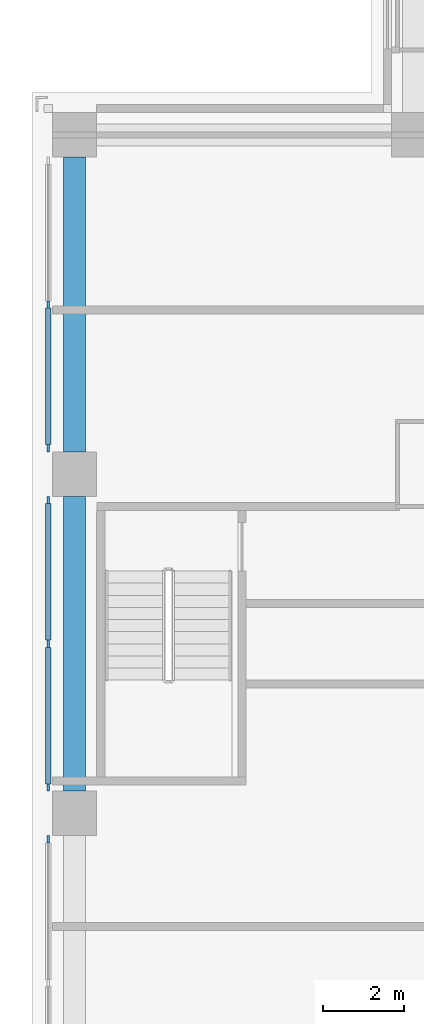
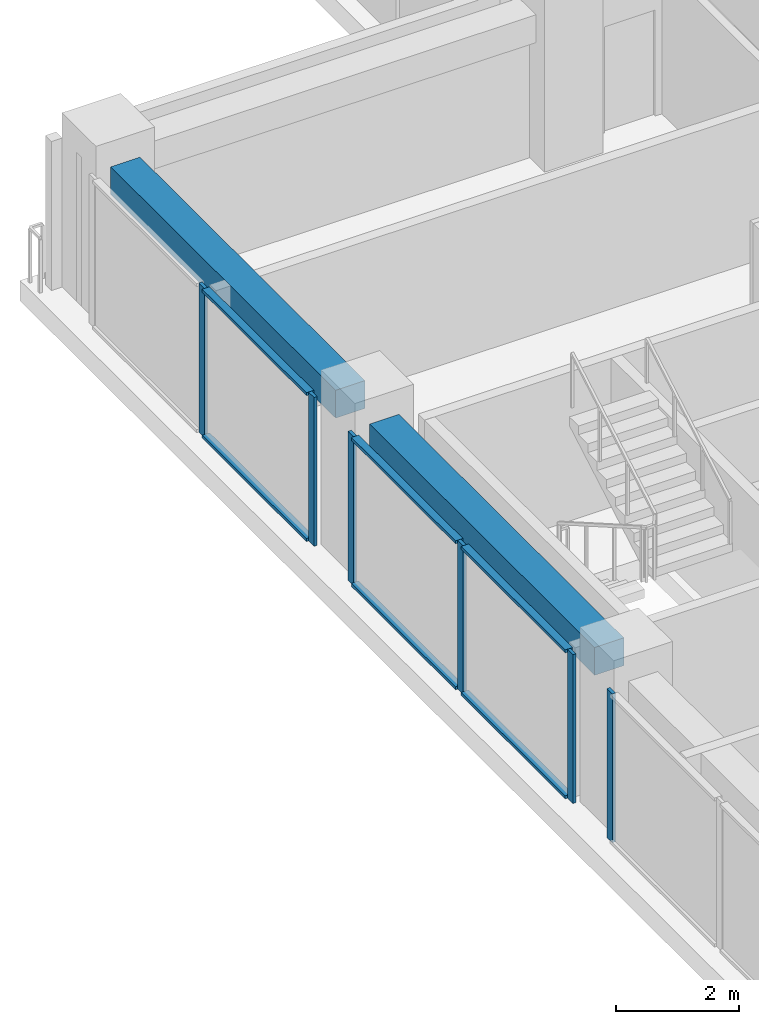
# One storey, part 4 of 16: 12 members, 2 beams, 3 elements without a shape of their own.
"""IFC4 building model written with IfcOpenShell, lengths in metres."""

from ifc_helpers import new_model, si_unit, direction, frame, origin, origin_2d, place, context, subcontext, project, spatial, rectangle, extrude, material, material_profile, profile_set, type_object, element, aggregate, save


model = new_model("IFC4")

# Units and contexts
model_context = context("Model", 3, precision=1e-05, world=origin(), true_north=direction((0.0, 1.0)))
body_context = subcontext(model_context, "Body", "Model", "MODEL_VIEW")
ifc_project = project(units=[si_unit("LENGTHUNIT", "METRE"), si_unit("AREAUNIT", "SQUARE_METRE"), si_unit("VOLUMEUNIT", "CUBIC_METRE"), si_unit("PLANEANGLEUNIT", "RADIAN"), si_unit("MASSUNIT", "GRAM", prefix="KILO")], contexts=[model_context])

# Site, building, storey
site_placement = place(None, origin())
site = spatial("IfcSite", under=ifc_project, at=site_placement, CompositionType="ELEMENT")
building_placement = place(site_placement, origin())
building = spatial("IfcBuilding", under=site, at=building_placement, Name="Vermilion Ogive Tower", CompositionType="ELEMENT")
storey_placement = place(building_placement, frame((0.0, 0.0, 167.60009765625)))
storey = spatial("IfcBuildingStorey", under=building, at=storey_placement, Name="L43", CompositionType="ELEMENT", Elevation=167.60009765625)

# Curtain wall, members
ifc_material_1 = material(Name="Low-iron laminated glazing in aluminium frame", Category="aluminium")
curtain_wall_type = type_object("IfcCurtainWallType", Name="Curtain wall CW7", PredefinedType="NOTDEFINED", material=ifc_material_1)
curtain_wall_1_placement = place(storey_placement, origin())
curtain_wall_1 = element("IfcCurtainWall", 1, at=curtain_wall_1_placement, inside=storey, type_object=curtain_wall_type, Name="Glazed skin W1", PredefinedType="NOTDEFINED")
ifc_material_2 = material(Name="Aluminium mullion", Category="aluminium")
ifc_material_profile_1 = material_profile(ifc_material_2, rectangle(XDim=0.06005859375, YDim=0.179931640625, at=origin_2d()), Name="AL 60x180")
ifc_profile_set_1 = profile_set([ifc_material_profile_1], Name="Aluminium mullion")
member_type_1 = type_object("IfcMemberType", Name="CW7 mullion 60x180", PredefinedType="MULLION", material=ifc_profile_set_1)
member_1_placement = place(storey_placement, frame((-21.64990234375, 8.39990234375, 0.0), z_axis=(0.0, 0.0, 1.0), x_axis=(1.0, 0.0, 0.0)))
member_1 = element("IfcMember", 2, at=member_1_placement, type_object=member_type_1, Name="CW7-W1 mullion 2", PredefinedType="MULLION", context=body_context, shape_type="SweptSolid", body=[
    extrude(rectangle(XDim=0.06005859375, YDim=0.179931640625, at=origin_2d()), origin(), (0.0, 0.0, 1.0), 2.949951171875),
])
member_2_placement = place(storey_placement, frame((-21.64990234375, 4.840087890625, 0.0), z_axis=(0.0, 0.0, 1.0), x_axis=(1.0, 0.0, 0.0)))
member_2 = element("IfcMember", 3, at=member_2_placement, type_object=member_type_1, Name="CW7-W1 mullion 3", PredefinedType="MULLION", context=body_context, shape_type="SweptSolid", body=[
    extrude(rectangle(XDim=0.06005859375, YDim=0.179931640625, at=origin_2d()), origin(), (0.0, 0.0, 1.0), 2.949951171875),
])

curtain_wall_2_placement = place(storey_placement, origin())
curtain_wall_2 = element("IfcCurtainWall", 4, at=curtain_wall_2_placement, inside=storey, type_object=curtain_wall_type, Name="Glazed skin W2", PredefinedType="NOTDEFINED")
member_3_placement = place(storey_placement, frame((-21.64990234375, 3.56005859375, 0.0), z_axis=(0.0, 0.0, 1.0), x_axis=(1.0, 0.0, 0.0)))
member_3 = element("IfcMember", 5, at=member_3_placement, type_object=member_type_1, Name="CW7-W2 mullion 1", PredefinedType="MULLION", context=body_context, shape_type="SweptSolid", body=[
    extrude(rectangle(XDim=0.06005859375, YDim=0.179931640625, at=origin_2d()), origin(), (0.0, 0.0, 1.0), 2.949951171875),
])
member_4_placement = place(storey_placement, frame((-21.64990234375, 0.0, 0.0), z_axis=(0.0, 0.0, 1.0), x_axis=(1.0, 0.0, 0.0)))
member_4 = element("IfcMember", 6, at=member_4_placement, type_object=member_type_1, Name="CW7-W2 mullion 2", PredefinedType="MULLION", context=body_context, shape_type="SweptSolid", body=[
    extrude(rectangle(XDim=0.06005859375, YDim=0.179931640625, at=origin_2d()), origin(), (0.0, 0.0, 1.0), 2.949951171875),
])
member_5_placement = place(storey_placement, frame((-21.64990234375, -3.56005859375, 0.0), z_axis=(0.0, 0.0, 1.0), x_axis=(1.0, 0.0, 0.0)))
member_5 = element("IfcMember", 7, at=member_5_placement, type_object=member_type_1, Name="CW7-W2 mullion 3", PredefinedType="MULLION", context=body_context, shape_type="SweptSolid", body=[
    extrude(rectangle(XDim=0.06005859375, YDim=0.179931640625, at=origin_2d()), origin(), (0.0, 0.0, 1.0), 2.949951171875),
])

# Curtain wall, member
curtain_wall_3_placement = place(storey_placement, origin())
curtain_wall_3 = element("IfcCurtainWall", 8, at=curtain_wall_3_placement, inside=storey, type_object=curtain_wall_type, Name="Glazed skin W3", PredefinedType="NOTDEFINED")
member_6_placement = place(storey_placement, frame((-21.64990234375, -4.840087890625, 0.0), z_axis=(0.0, 0.0, 1.0), x_axis=(1.0, 0.0, 0.0)))
member_6 = element("IfcMember", 9, at=member_6_placement, type_object=member_type_1, Name="CW7-W3 mullion 1", PredefinedType="MULLION", context=body_context, shape_type="SweptSolid", body=[
    extrude(rectangle(XDim=0.06005859375, YDim=0.179931640625, at=origin_2d()), origin(), (0.0, 0.0, 1.0), 2.949951171875),
])
aggregate(curtain_wall_3, [member_6])

# Member
ifc_material_3 = material(Name="Aluminium transom", Category="aluminium")
ifc_material_profile_2 = material_profile(ifc_material_3, rectangle(XDim=0.139892578125, YDim=0.06005859375, at=origin_2d()), Name="AL 60x140")
ifc_profile_set_2 = profile_set([ifc_material_profile_2], Name="Aluminium transom")
member_type_2 = type_object("IfcMemberType", Name="CW7 transom 60x140", PredefinedType="USERDEFINED", material=ifc_profile_set_2)
member_7_placement = place(storey_placement, frame((-21.64990234375, 8.31005859375, 0.02978515625), z_axis=(0.0, -1.0, 0.0), x_axis=(1.0, 0.0, 0.0)))
member_7 = element("IfcMember", 10, at=member_7_placement, type_object=member_type_2, Name="CW7-W1 transom 2.1", ObjectType="TRANSOM", PredefinedType="USERDEFINED", context=body_context, shape_type="SweptSolid", body=[
    extrude(rectangle(XDim=0.139892578125, YDim=0.06005859375, at=origin_2d()), origin(), (0.0, 0.0, 1.0), 3.380126953125),
])

member_8_placement = place(storey_placement, frame((-21.64990234375, 8.31005859375, 2.919921875), z_axis=(0.0, -1.0, 0.0), x_axis=(1.0, 0.0, 0.0)))
member_8 = element("IfcMember", 11, at=member_8_placement, type_object=member_type_2, Name="CW7-W1 transom 2.2", ObjectType="TRANSOM", PredefinedType="USERDEFINED", context=body_context, shape_type="SweptSolid", body=[
    extrude(rectangle(XDim=0.139892578125, YDim=0.06005859375, at=origin_2d()), origin(), (0.0, 0.0, 1.0), 3.380126953125),
])

aggregate(curtain_wall_1, [member_1, member_2, member_7, member_8])

member_9_placement = place(storey_placement, frame((-21.64990234375, 3.469970703125, 0.02978515625), z_axis=(0.0, -1.0, 0.0), x_axis=(1.0, 0.0, 0.0)))
member_9 = element("IfcMember", 12, at=member_9_placement, type_object=member_type_2, Name="CW7-W2 transom 1.1", ObjectType="TRANSOM", PredefinedType="USERDEFINED", context=body_context, shape_type="SweptSolid", body=[
    extrude(rectangle(XDim=0.139892578125, YDim=0.06005859375, at=origin_2d()), origin(), (0.0, 0.0, 1.0), 3.3798828125),
])

member_10_placement = place(storey_placement, frame((-21.64990234375, 3.469970703125, 2.919921875), z_axis=(0.0, -1.0, 0.0), x_axis=(1.0, 0.0, 0.0)))
member_10 = element("IfcMember", 13, at=member_10_placement, type_object=member_type_2, Name="CW7-W2 transom 1.2", ObjectType="TRANSOM", PredefinedType="USERDEFINED", context=body_context, shape_type="SweptSolid", body=[
    extrude(rectangle(XDim=0.139892578125, YDim=0.06005859375, at=origin_2d()), origin(), (0.0, 0.0, 1.0), 3.3798828125),
])

member_11_placement = place(storey_placement, frame((-21.64990234375, -0.090087890625, 0.02978515625), z_axis=(0.0, -1.0, 0.0), x_axis=(1.0, 0.0, 0.0)))
member_11 = element("IfcMember", 14, at=member_11_placement, type_object=member_type_2, Name="CW7-W2 transom 2.1", ObjectType="TRANSOM", PredefinedType="USERDEFINED", context=body_context, shape_type="SweptSolid", body=[
    extrude(rectangle(XDim=0.139892578125, YDim=0.06005859375, at=origin_2d()), origin(), (0.0, 0.0, 1.0), 3.3798828125),
])

member_12_placement = place(storey_placement, frame((-21.64990234375, -0.090087890625, 2.919921875), z_axis=(0.0, -1.0, 0.0), x_axis=(1.0, 0.0, 0.0)))
member_12 = element("IfcMember", 15, at=member_12_placement, type_object=member_type_2, Name="CW7-W2 transom 2.2", ObjectType="TRANSOM", PredefinedType="USERDEFINED", context=body_context, shape_type="SweptSolid", body=[
    extrude(rectangle(XDim=0.139892578125, YDim=0.06005859375, at=origin_2d()), origin(), (0.0, 0.0, 1.0), 3.3798828125),
])

aggregate(curtain_wall_2, [member_3, member_4, member_5, member_9, member_10, member_11, member_12])

# Beams
ifc_material_4 = material(Name="Concrete B45", Category="concrete")
ifc_material_profile_3 = material_profile(ifc_material_4, rectangle(XDim=0.550048828125, YDim=0.550048828125, at=origin_2d()), Name="550 x 550")
ifc_profile_set_3 = profile_set([ifc_material_profile_3], Name="Concrete B45")
beam_type = type_object("IfcBeamType", Name="Edge beam 550 x 550 B45", PredefinedType="BEAM", material=ifc_profile_set_3)
beam_1_placement = place(storey_placement, frame((-21.0, 12.050048828125, 2.6748046875), z_axis=(0.0, -1.0, 0.0), x_axis=(1.0, 0.0, 0.0)))
element("IfcBeam", 16, at=beam_1_placement, inside=storey, type_object=beam_type, Name="L43-EB-13", PredefinedType="BEAM", context=body_context, shape_type="SweptSolid", body=[
    extrude(rectangle(XDim=0.550048828125, YDim=0.550048828125, at=origin_2d()), origin(), (0.0, 0.0, 1.0), 7.300048828125),
])
beam_2_placement = place(storey_placement, frame((-21.0, 3.64990234375, 2.6748046875), z_axis=(0.0, -1.0, 0.0), x_axis=(1.0, 0.0, 0.0)))
element("IfcBeam", 17, at=beam_2_placement, inside=storey, type_object=beam_type, Name="L43-EB-14", PredefinedType="BEAM", context=body_context, shape_type="SweptSolid", body=[
    extrude(rectangle(XDim=0.550048828125, YDim=0.550048828125, at=origin_2d()), origin(), (0.0, 0.0, 1.0), 7.2998046875),
])

save(model, "model.ifc")
